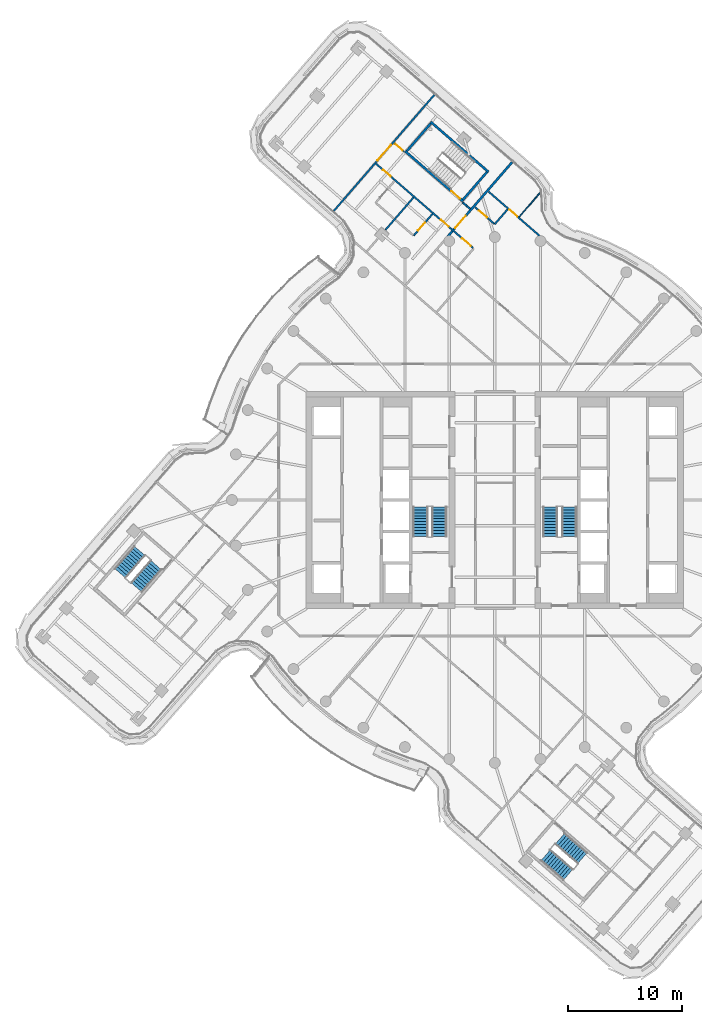
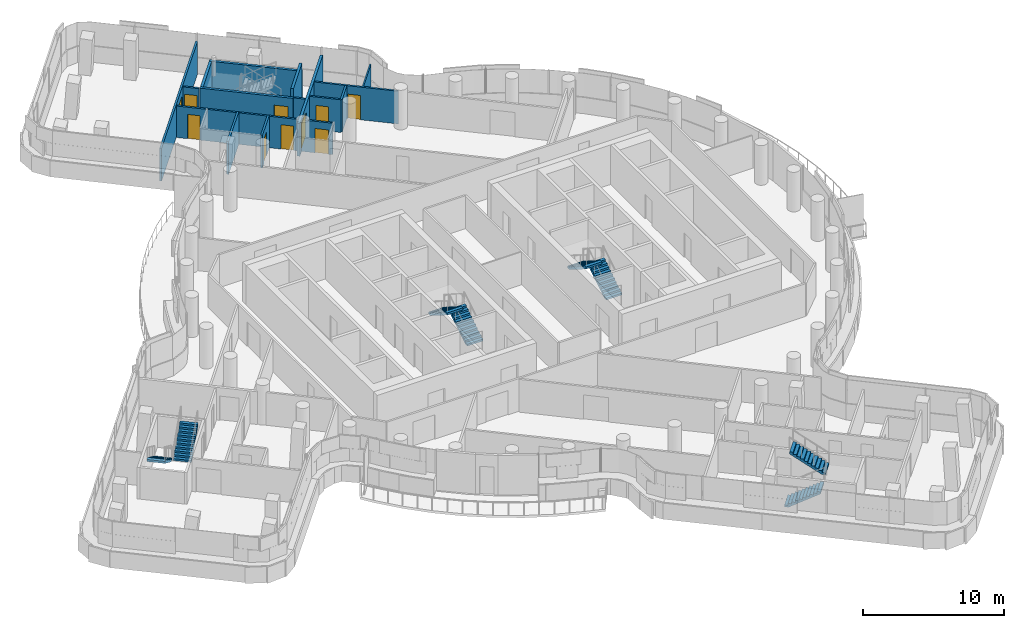
# One storey, part 23 of 32: 15 walls, 10 doors, 8 stair flights, 10 openings, 4 elements without a shape of their own.
"""IFC4 building model written with IfcOpenShell, lengths in metres."""

from ifc_helpers import new_model, si_unit, direction, frame, frame_2d, origin, place, context, subcontext, project, spatial, polyline, rectangle, outline, extrude, material, layer, layer_set, type_object, element, fill, aggregate, save


model = new_model("IFC4")

# Units and contexts
model_context = context("Model", 3, precision=1e-05, world=origin(), true_north=direction((0.0, 1.0)))
body_context = subcontext(model_context, "Body", "Model", "MODEL_VIEW")
ifc_project = project(units=[si_unit("LENGTHUNIT", "METRE"), si_unit("AREAUNIT", "SQUARE_METRE"), si_unit("VOLUMEUNIT", "CUBIC_METRE"), si_unit("PLANEANGLEUNIT", "RADIAN"), si_unit("MASSUNIT", "GRAM", prefix="KILO")], contexts=[model_context])

# Site, building, storey
site_placement = place(None, origin())
site = spatial("IfcSite", under=ifc_project, at=site_placement, CompositionType="ELEMENT")
building_placement = place(site_placement, origin())
building = spatial("IfcBuilding", under=site, at=building_placement, Name="Tamarind Cross Interchange Tower", CompositionType="ELEMENT")
storey_placement = place(building_placement, frame((0.0, 0.0, 211.300048828125)))
storey = spatial("IfcBuildingStorey", under=building, at=storey_placement, Name="L53", CompositionType="ELEMENT", Elevation=211.300048828125)

# Wall
ifc_material_1 = material(Name="Gypsum board partition on steel studs", Category="steel")
ifc_layer_1 = layer(ifc_material_1, 0.10009765625)
ifc_layer_set_1 = layer_set([ifc_layer_1], Name="Gypsum board partition on steel studs")
wall_type_1 = type_object("IfcWallType", Name="Partition 100 mm EI 90", PredefinedType="PARTITIONING", material=ifc_layer_set_1)
wall_1_placement = place(storey_placement, frame((2.12744140625, 24.761474609375, 0.0), z_axis=(0.0, 0.0, 1.0), x_axis=(0.6546704231, 0.755914437696, 0.0)))
element("IfcWall", 1, at=wall_1_placement, inside=storey, type_object=wall_type_1, Name="Partition L53-051", PredefinedType="PARTITIONING", context=body_context, shape_type="SweptSolid", body=[
    extrude(rectangle(XDim=2.78759765625, YDim=0.10009765625, at=frame_2d((1.393798828125, 0.0))), origin(), (0.0, 0.0, 1.0), 2.823974609375),
])

# Wall, openings, doors
ifc_layer_2 = layer(ifc_material_1, 0.14990234375)
ifc_layer_set_2 = layer_set([ifc_layer_2], Name="Gypsum board partition on steel studs")
wall_type_2 = type_object("IfcWallType", Name="Partition 150 mm EI 120", PredefinedType="PARTITIONING", material=ifc_layer_set_2)
wall_2_placement = place(storey_placement, frame((-10.400390625, 29.420654296875, 0.0), z_axis=(0.0, 0.0, 1.0), x_axis=(0.755729912983, -0.654883423689, 0.0)))
wall_2 = element("IfcWall", 2, at=wall_2_placement, inside=storey, type_object=wall_type_2, Name="Partition L53-013", PredefinedType="PARTITIONING", context=body_context, shape_type="SweptSolid", body=[
    extrude(rectangle(XDim=11.2451171875, YDim=0.14990234375, at=frame_2d((5.62255859375, 0.0))), origin(), (0.0, 0.0, 1.0), 2.719970703125),
])
opening_1_placement = place(wall_2_placement, frame((9.9697265625, 0.0, 0.0)))
opening_1 = element("IfcOpeningElement", 3, at=opening_1_placement, cuts=wall_2, Name="Opening D05", PredefinedType="OPENING", context=body_context, shape_type="SweptSolid", body=[
    extrude(rectangle(XDim=1.0, YDim=2.10009765625, at=frame_2d((0.5, 1.050048828125))), frame((0.0, 0.0849609375, 0.0), z_axis=(0.0, -1.0, 0.0), x_axis=(1.0, 0.0, 0.0)), (0.0, 0.0, 1.0), 0.169921875),
])
opening_2_placement = place(wall_2_placement, frame((7.52001953125, 0.0, 0.0)))
opening_2 = element("IfcOpeningElement", 4, at=opening_2_placement, cuts=wall_2, Name="Opening D06", PredefinedType="OPENING", context=body_context, shape_type="SweptSolid", body=[
    extrude(rectangle(XDim=0.89990234375, YDim=2.10009765625, at=frame_2d((0.449951171875, 1.050048828125))), frame((0.0, 0.0849609375, 0.0), z_axis=(0.0, -1.0, 0.0), x_axis=(1.0, 0.0, 0.0)), (0.0, 0.0, 1.0), 0.169921875),
])
opening_3_placement = place(wall_2_placement, frame((0.820068359375, 0.0, 0.0)))
opening_3 = element("IfcOpeningElement", 5, at=opening_3_placement, cuts=wall_2, Name="Opening D07", PredefinedType="OPENING", context=body_context, shape_type="SweptSolid", body=[
    extrude(rectangle(XDim=0.89990234375, YDim=2.10009765625, at=frame_2d((0.449951171875, 1.050048828125))), frame((0.0, 0.0849609375, 0.0), z_axis=(0.0, -1.0, 0.0), x_axis=(1.0, 0.0, 0.0)), (0.0, 0.0, 1.0), 0.169921875),
])
ifc_material_2 = material(Name="Fire-resisting door set")
door_type_1 = type_object("IfcDoorType", Name="Interior door 1000 x 2100 FD60S", OperationType="SINGLE_SWING_LEFT", PredefinedType="DOOR", material=ifc_material_2)
door_1_placement = place(opening_1_placement, frame((1.0, 0.0, 0.0), z_axis=(0.0, 0.0, 1.0), x_axis=(-1.0, 0.0, 0.0)))
door_1 = element("IfcDoor", 6, at=door_1_placement, inside=storey, type_object=door_type_1, Name="Door D05", OperationType="SINGLE_SWING_RIGHT", OverallHeight=2.10009765625, OverallWidth=1.0, PredefinedType="DOOR", context=body_context, shape_type="SweptSolid", body=[
    extrude(rectangle(XDim=1.0, YDim=2.10009765625, at=frame_2d((0.5, 1.050048828125))), frame((0.0, 0.02490234375, 0.0), z_axis=(0.0, -1.0, 0.0), x_axis=(1.0, 0.0, 0.0)), (0.0, 0.0, 1.0), 0.050048828125),
])
fill(opening_1, door_1)
door_type_2 = type_object("IfcDoorType", Name="Interior door 900 x 2100 FD60S", OperationType="SINGLE_SWING_LEFT", PredefinedType="DOOR", material=ifc_material_2)
door_2_placement = place(opening_2_placement, frame((0.89990234375, 0.0, 0.0), z_axis=(0.0, 0.0, 1.0), x_axis=(-1.0, 0.0, 0.0)))
door_2 = element("IfcDoor", 7, at=door_2_placement, inside=storey, type_object=door_type_2, Name="Door D06", OperationType="SINGLE_SWING_RIGHT", OverallHeight=2.10009765625, OverallWidth=0.89990234375, PredefinedType="DOOR", context=body_context, shape_type="SweptSolid", body=[
    extrude(rectangle(XDim=0.89990234375, YDim=2.10009765625, at=frame_2d((0.449951171875, 1.050048828125))), frame((0.0, 0.02490234375, 0.0), z_axis=(0.0, -1.0, 0.0), x_axis=(1.0, 0.0, 0.0)), (0.0, 0.0, 1.0), 0.050048828125),
])
fill(opening_2, door_2)
door_3_placement = place(opening_3_placement, frame((0.89990234375, 0.0, 0.0), z_axis=(0.0, 0.0, 1.0), x_axis=(-1.0, 0.0, 0.0)))
door_3 = element("IfcDoor", 8, at=door_3_placement, inside=storey, type_object=door_type_2, Name="Door D07", OperationType="SINGLE_SWING_LEFT", OverallHeight=2.10009765625, OverallWidth=0.89990234375, PredefinedType="DOOR", context=body_context, shape_type="SweptSolid", body=[
    extrude(rectangle(XDim=0.89990234375, YDim=2.10009765625, at=frame_2d((0.449951171875, 1.050048828125))), frame((0.0, 0.02490234375, 0.0), z_axis=(0.0, -1.0, 0.0), x_axis=(1.0, 0.0, 0.0)), (0.0, 0.0, 1.0), 0.050048828125),
])
fill(opening_3, door_3)

# Wall, opening, door
wall_3_placement = place(storey_placement, frame((-8.82958984375, 31.234619140625, 0.0), z_axis=(0.0, 0.0, 1.0), x_axis=(0.755873338464, -0.654717875271, 0.0)))
wall_3 = element("IfcWall", 9, at=wall_3_placement, inside=storey, type_object=wall_type_2, Name="Partition L53-015", PredefinedType="PARTITIONING", context=body_context, shape_type="SweptSolid", body=[
    extrude(rectangle(XDim=1.18017578125, YDim=0.14990234375, at=frame_2d((0.590087890625, 0.0))), origin(), (0.0, 0.0, 1.0), 2.719970703125),
])
opening_4_placement = place(wall_3_placement, frame((0.13037109375, 0.0, 0.0)))
opening_4 = element("IfcOpeningElement", 10, at=opening_4_placement, cuts=wall_3, Name="Opening D08", PredefinedType="OPENING", context=body_context, shape_type="SweptSolid", body=[
    extrude(rectangle(XDim=0.89990234375, YDim=2.10009765625, at=frame_2d((0.449951171875, 1.050048828125))), frame((0.0, 0.0849609375, 0.0), z_axis=(0.0, -1.0, 0.0), x_axis=(1.0, 0.0, 0.0)), (0.0, 0.0, 1.0), 0.169921875),
])
door_4_placement = place(opening_4_placement, origin())
door_4 = element("IfcDoor", 11, at=door_4_placement, inside=storey, type_object=door_type_2, Name="Door D08", OperationType="SINGLE_SWING_RIGHT", OverallHeight=2.10009765625, OverallWidth=0.89990234375, PredefinedType="DOOR", context=body_context, shape_type="SweptSolid", body=[
    extrude(rectangle(XDim=0.89990234375, YDim=2.10009765625, at=frame_2d((0.449951171875, 1.050048828125))), frame((0.0, 0.02490234375, 0.0), z_axis=(0.0, -1.0, 0.0), x_axis=(1.0, 0.0, 0.0)), (0.0, 0.0, 1.0), 0.050048828125),
])
fill(opening_4, door_4)

# Wall
wall_4_placement = place(storey_placement, frame((-2.81298828125, 26.023681640625, 0.0), z_axis=(0.0, 0.0, 1.0), x_axis=(0.755941819498, -0.654638805399, 0.0)))
element("IfcWall", 12, at=wall_4_placement, inside=storey, type_object=wall_type_2, Name="Partition L53-016", PredefinedType="PARTITIONING", context=body_context, shape_type="SweptSolid", body=[
    extrude(rectangle(XDim=0.8603515625, YDim=0.14990234375, at=frame_2d((0.43017578125, 0.0))), origin(), (0.0, 0.0, 1.0), 2.823974609375),
])

# Wall, opening, door
wall_5_placement = place(storey_placement, frame((-1.734375, 25.618408203125, 0.0), z_axis=(0.0, 0.0, 1.0), x_axis=(0.755959942228, -0.654617877656, 0.0)))
wall_5 = element("IfcWall", 13, at=wall_5_placement, inside=storey, type_object=wall_type_2, Name="Partition L53-019", PredefinedType="PARTITIONING", context=body_context, shape_type="SweptSolid", body=[
    extrude(rectangle(XDim=2.259765625, YDim=0.14990234375, at=frame_2d((1.1298828125, 0.0))), origin(), (0.0, 0.0, 1.0), 2.823974609375),
])
opening_5_placement = place(wall_5_placement, frame((0.47998046875, 0.0, 0.0)))
opening_5 = element("IfcOpeningElement", 14, at=opening_5_placement, cuts=wall_5, Name="Opening D12", PredefinedType="OPENING", context=body_context, shape_type="SweptSolid", body=[
    extrude(rectangle(XDim=0.89990234375, YDim=2.10009765625, at=frame_2d((0.449951171875, 1.050048828125))), frame((0.0, 0.0849609375, 0.0), z_axis=(0.0, -1.0, 0.0), x_axis=(1.0, 0.0, 0.0)), (0.0, 0.0, 1.0), 0.169921875),
])
door_5_placement = place(opening_5_placement, origin())
door_5 = element("IfcDoor", 15, at=door_5_placement, inside=storey, type_object=door_type_2, Name="Door D12", OperationType="SINGLE_SWING_RIGHT", OverallHeight=2.10009765625, OverallWidth=0.89990234375, PredefinedType="DOOR", context=body_context, shape_type="SweptSolid", body=[
    extrude(rectangle(XDim=0.89990234375, YDim=2.10009765625, at=frame_2d((0.449951171875, 1.050048828125))), frame((0.0, 0.02490234375, 0.0), z_axis=(0.0, -1.0, 0.0), x_axis=(1.0, 0.0, 0.0)), (0.0, 0.0, 1.0), 0.050048828125),
])
fill(opening_5, door_5)

wall_6_placement = place(storey_placement, frame((-0.556396484375, 26.9794921875, 0.0), z_axis=(0.0, 0.0, 1.0), x_axis=(0.75610536707, -0.654449901741, 0.0)))
wall_6 = element("IfcWall", 16, at=wall_6_placement, inside=storey, type_object=wall_type_2, Name="Partition L53-020", PredefinedType="PARTITIONING", context=body_context, shape_type="SweptSolid", body=[
    extrude(rectangle(XDim=6.054443359375, YDim=0.14990234375, at=frame_2d((3.02734375, 0.0))), origin(), (0.0, 0.0, 1.0), 2.823974609375),
])
opening_6_placement = place(wall_6_placement, frame((2.430419921875, 0.0, 0.0)))
opening_6 = element("IfcOpeningElement", 17, at=opening_6_placement, cuts=wall_6, Name="Opening D13", PredefinedType="OPENING", context=body_context, shape_type="SweptSolid", body=[
    extrude(rectangle(XDim=0.89990234375, YDim=2.10009765625, at=frame_2d((0.449951171875, 1.050048828125))), frame((0.0, 0.0849609375, 0.0), z_axis=(0.0, -1.0, 0.0), x_axis=(1.0, 0.0, 0.0)), (0.0, 0.0, 1.0), 0.169921875),
])
door_6_placement = place(opening_6_placement, origin())
door_6 = element("IfcDoor", 18, at=door_6_placement, inside=storey, type_object=door_type_2, Name="Door D13", OperationType="SINGLE_SWING_RIGHT", OverallHeight=2.10009765625, OverallWidth=0.89990234375, PredefinedType="DOOR", context=body_context, shape_type="SweptSolid", body=[
    extrude(rectangle(XDim=0.89990234375, YDim=2.10009765625, at=frame_2d((0.449951171875, 1.050048828125))), frame((0.0, 0.02490234375, 0.0), z_axis=(0.0, -1.0, 0.0), x_axis=(1.0, 0.0, 0.0)), (0.0, 0.0, 1.0), 0.050048828125),
])
fill(opening_6, door_6)

wall_7_placement = place(storey_placement, frame((-14.086669921875, 25.286376953125, 0.0), z_axis=(0.0, 0.0, 1.0), x_axis=(0.654652415454, 0.755930033099, 0.0)))
wall_7 = element("IfcWall", 19, at=wall_7_placement, inside=storey, type_object=wall_type_2, Name="Partition L53-043", PredefinedType="PARTITIONING", context=body_context, shape_type="SweptSolid", body=[
    extrude(rectangle(XDim=13.436767578125, YDim=0.14990234375, at=frame_2d((6.71826171875, 0.0))), origin(), (0.0, 0.0, 1.0), 2.820068359375),
])
opening_7_placement = place(wall_7_placement, frame((5.83837890625, 0.0, 0.0)))
opening_7 = element("IfcOpeningElement", 20, at=opening_7_placement, cuts=wall_7, Name="Opening D29", PredefinedType="OPENING", context=body_context, shape_type="SweptSolid", body=[
    extrude(rectangle(XDim=1.800048828125, YDim=2.10009765625, at=frame_2d((0.89990234375, 1.050048828125))), frame((0.0, 0.0849609375, 0.0), z_axis=(0.0, -1.0, 0.0), x_axis=(1.0, 0.0, 0.0)), (0.0, 0.0, 1.0), 0.169921875),
])
door_type_3 = type_object("IfcDoorType", Name="Interior door 1800 x 2100 FD60S", OperationType="DOUBLE_DOOR_SINGLE_SWING", PredefinedType="DOOR", material=ifc_material_2)
door_7_placement = place(opening_7_placement, origin())
door_7 = element("IfcDoor", 21, at=door_7_placement, inside=storey, type_object=door_type_3, Name="Door D29", OperationType="DOUBLE_DOOR_SINGLE_SWING", OverallHeight=2.10009765625, OverallWidth=1.800048828125, PredefinedType="DOOR", context=body_context, shape_type="SweptSolid", body=[
    extrude(rectangle(XDim=1.800048828125, YDim=2.10009765625, at=frame_2d((0.89990234375, 1.050048828125))), frame((0.0, 0.02490234375, 0.0), z_axis=(0.0, -1.0, 0.0), x_axis=(1.0, 0.0, 0.0)), (0.0, 0.0, 1.0), 0.050048828125),
])
fill(opening_7, door_7)

# Wall
wall_8_placement = place(storey_placement, frame((-9.572998046875, 23.624755859375, 0.0), z_axis=(0.0, 0.0, 1.0), x_axis=(0.654735179683, 0.755858349484, 0.0)))
element("IfcWall", 22, at=wall_8_placement, inside=storey, type_object=wall_type_2, Name="Partition L53-045", PredefinedType="PARTITIONING", context=body_context, shape_type="SweptSolid", body=[
    extrude(rectangle(XDim=3.759033203125, YDim=0.14990234375, at=frame_2d((1.87939453125, 0.0))), origin(), (0.0, 0.0, 1.0), 2.820068359375),
])

# Wall, opening, door
wall_9_placement = place(storey_placement, frame((-7.09912109375, 23.12109375, 0.0), z_axis=(0.0, 0.0, 1.0), x_axis=(0.654764510889, 0.755832941384, 0.0)))
wall_9 = element("IfcWall", 23, at=wall_9_placement, inside=storey, type_object=wall_type_2, Name="Partition L53-049", PredefinedType="PARTITIONING", context=body_context, shape_type="SweptSolid", body=[
    extrude(rectangle(XDim=2.51953125, YDim=0.14990234375, at=frame_2d((1.259765625, 0.0))), origin(), (0.0, 0.0, 1.0), 2.820068359375),
])
opening_8_placement = place(wall_9_placement, frame((0.60009765625, 0.0, 0.0)))
opening_8 = element("IfcOpeningElement", 24, at=opening_8_placement, cuts=wall_9, Name="Opening D32", PredefinedType="OPENING", context=body_context, shape_type="SweptSolid", body=[
    extrude(rectangle(XDim=0.89990234375, YDim=2.10009765625, at=frame_2d((0.449951171875, 1.050048828125))), frame((0.0, 0.0849609375, 0.0), z_axis=(0.0, -1.0, 0.0), x_axis=(1.0, 0.0, 0.0)), (0.0, 0.0, 1.0), 0.169921875),
])
door_8_placement = place(opening_8_placement, origin())
door_8 = element("IfcDoor", 25, at=door_8_placement, inside=storey, type_object=door_type_2, Name="Door D32", OperationType="SINGLE_SWING_RIGHT", OverallHeight=2.10009765625, OverallWidth=0.89990234375, PredefinedType="DOOR", context=body_context, shape_type="SweptSolid", body=[
    extrude(rectangle(XDim=0.89990234375, YDim=2.10009765625, at=frame_2d((0.449951171875, 1.050048828125))), frame((0.0, 0.02490234375, 0.0), z_axis=(0.0, -1.0, 0.0), x_axis=(1.0, 0.0, 0.0)), (0.0, 0.0, 1.0), 0.050048828125),
])
fill(opening_8, door_8)

# Wall
wall_10_placement = place(storey_placement, frame((-0.01025390625, 24.12548828125, 0.0), z_axis=(0.0, 0.0, 1.0), x_axis=(0.654860306773, 0.755749944501, 0.0)))
element("IfcWall", 26, at=wall_10_placement, inside=storey, type_object=wall_type_2, Name="Partition L53-053", PredefinedType="PARTITIONING", context=body_context, shape_type="SweptSolid", body=[
    extrude(rectangle(XDim=1.720458984375, YDim=0.14990234375, at=frame_2d((0.8603515625, 0.0))), origin(), (0.0, 0.0, 1.0), 2.823974609375),
])

# Wall, opening, door
ifc_layer_3 = layer(ifc_material_1, 0.199951171875)
ifc_layer_set_3 = layer_set([ifc_layer_3], Name="Gypsum board partition on steel studs")
wall_type_3 = type_object("IfcWallType", Name="Partition 200 mm EI 180", PredefinedType="PARTITIONING", material=ifc_layer_set_3)
wall_11_placement = place(storey_placement, frame((-4.119384765625, 23.047607421875, 0.0), z_axis=(0.0, 0.0, 1.0), x_axis=(0.654685276968, 0.755901573038, 0.0)))
wall_11 = element("IfcWall", 27, at=wall_11_placement, inside=storey, type_object=wall_type_3, Name="Partition L53-048", PredefinedType="PARTITIONING", context=body_context, shape_type="SweptSolid", body=[
    extrude(rectangle(XDim=8.603759765625, YDim=0.199951171875, at=frame_2d((4.3017578125, 0.0))), origin(), (0.0, 0.0, 1.0), 2.820068359375),
])
opening_9_placement = place(wall_11_placement, frame((1.00537109375, 0.0, 0.0)))
opening_9 = element("IfcOpeningElement", 28, at=opening_9_placement, cuts=wall_11, Name="Opening D31", PredefinedType="OPENING", context=body_context, shape_type="SweptSolid", body=[
    extrude(rectangle(XDim=1.39990234375, YDim=2.10009765625, at=frame_2d((0.699951171875, 1.050048828125))), frame((0.0, 0.10986328125, 0.0), z_axis=(0.0, -1.0, 0.0), x_axis=(1.0, 0.0, 0.0)), (0.0, 0.0, 1.0), 0.219970703125),
])
door_type_4 = type_object("IfcDoorType", Name="Interior door 1400 x 2100 FD120S", OperationType="DOUBLE_DOOR_SINGLE_SWING", PredefinedType="DOOR", material=ifc_material_2)
door_9_placement = place(opening_9_placement, frame((1.39990234375, 0.0, 0.0), z_axis=(0.0, 0.0, 1.0), x_axis=(-1.0, 0.0, 0.0)))
door_9 = element("IfcDoor", 29, at=door_9_placement, inside=storey, type_object=door_type_4, Name="Door D31", OperationType="DOUBLE_DOOR_SINGLE_SWING", OverallHeight=2.10009765625, OverallWidth=1.39990234375, PredefinedType="DOOR", context=body_context, shape_type="SweptSolid", body=[
    extrude(rectangle(XDim=1.39990234375, YDim=2.10009765625, at=frame_2d((0.699951171875, 1.050048828125))), frame((0.0, 0.02490234375, 0.0), z_axis=(0.0, -1.0, 0.0), x_axis=(1.0, 0.0, 0.0)), (0.0, 0.0, 1.0), 0.050048828125),
])
fill(opening_9, door_9)

ifc_material_3 = material(Name="Concrete C40", Category="concrete")
ifc_layer_4 = layer(ifc_material_3, 0.199951171875)
ifc_layer_set_4 = layer_set([ifc_layer_4], Name="Concrete C40")
wall_type_4 = type_object("IfcWallType", Name="Stair shaft wall 200 mm Concrete C40", PredefinedType="SHEAR", material=ifc_layer_set_4)
wall_12_placement = place(storey_placement, frame((-2.77734375, 26.125, -0.14013671875), z_axis=(0.0, 0.0, 1.0), x_axis=(-0.755905449716, 0.654680800918, 0.0)))
wall_12 = element("IfcWall", 30, at=wall_12_placement, inside=storey, type_object=wall_type_4, Name="Core wall CWL-L53-ST4-H", PredefinedType="SHEAR", context=body_context, shape_type="SweptSolid", body=[
    extrude(rectangle(XDim=6.7001953125, YDim=0.199951171875, at=frame_2d((3.35009765625, 0.0))), origin(), (0.0, 0.0, 1.0), 2.860107421875),
])
opening_10_placement = place(wall_12_placement, frame((0.35009765625, 0.0, 0.0)))
opening_10 = element("IfcOpeningElement", 31, at=opening_10_placement, cuts=wall_12, Name="Opening ST4L53", PredefinedType="OPENING", context=body_context, shape_type="SweptSolid", body=[
    extrude(rectangle(XDim=1.0, YDim=2.10009765625, at=frame_2d((0.5, 1.050048828125))), frame((0.0, 0.10986328125, 0.0), z_axis=(0.0, -1.0, 0.0), x_axis=(1.0, 0.0, 0.0)), (0.0, 0.0, 1.0), 0.219970703125),
])
ifc_material_4 = material(Name="Steel, fire-resisting", Category="steel")
door_type_5 = type_object("IfcDoorType", Name="Core fire door 1000 x 2100 FD90", OperationType="SINGLE_SWING_LEFT", PredefinedType="DOOR", material=ifc_material_4)
door_10_placement = place(opening_10_placement, origin())
door_10 = element("IfcDoor", 32, at=door_10_placement, inside=storey, type_object=door_type_5, Name="L53 stair door ST4", OperationType="SINGLE_SWING_LEFT", OverallHeight=2.10009765625, OverallWidth=1.0, PredefinedType="DOOR", context=body_context, shape_type="SweptSolid", body=[
    extrude(rectangle(XDim=1.0, YDim=2.10009765625, at=frame_2d((0.5, 1.050048828125))), frame((0.0, 0.02490234375, 0.0), z_axis=(0.0, -1.0, 0.0), x_axis=(1.0, 0.0, 0.0)), (0.0, 0.0, 1.0), 0.050048828125),
])
fill(opening_10, door_10)

# Walls
wall_13_placement = place(storey_placement, frame((-0.551513671875, 28.6953125, -0.14013671875), z_axis=(0.0, 0.0, 1.0), x_axis=(-0.755923482159, 0.654659979777, 0.0)))
element("IfcWall", 33, at=wall_13_placement, inside=storey, type_object=wall_type_4, Name="Core wall CWL-L53-ST4-C", PredefinedType="SHEAR", context=body_context, shape_type="SweptSolid", body=[
    extrude(rectangle(XDim=6.699951171875, YDim=0.199951171875, at=frame_2d((3.35009765625, 0.0))), origin(), (0.0, 0.0, 1.0), 2.860107421875),
])
wall_14_placement = place(storey_placement, frame((-0.6923828125, 28.68505859375, -0.14013671875), z_axis=(0.0, 0.0, 1.0), x_axis=(-0.654715584954, -0.755875322271, 0.0)))
element("IfcWall", 34, at=wall_14_placement, inside=storey, type_object=wall_type_4, Name="Core wall CWL-L53-ST4-CE", PredefinedType="SHEAR", context=body_context, shape_type="SweptSolid", body=[
    extrude(rectangle(XDim=3.2001953125, YDim=0.199951171875, at=frame_2d((1.60009765625, 0.0))), origin(), (0.0, 0.0, 1.0), 3.56005859375),
])
wall_15_placement = place(storey_placement, frame((0.0, 0.0, -0.14013671875)))
element("IfcWall", 35, at=wall_15_placement, inside=storey, type_object=wall_type_4, Name="Core wall CWL-L53-ST4-CF", PredefinedType="SHEAR", context=body_context, shape_type="SweptSolid", body=[
    extrude(outline(polyline([(-5.530517578125, 32.875), (-5.681640625, 33.005859375), (-7.776611328125, 30.5869140625), (-7.625244140625, 30.4560546875), (-5.530517578125, 32.875)])), origin(), (0.0, 0.0, 1.0), 2.860107421875),
])

# Stair, stair flights
ifc_material_5 = material(Name="Exit stair")
stair_type = type_object("IfcStairType", Name="Exit stair", PredefinedType="HALF_TURN_STAIR", material=ifc_material_5)
stair_1_placement = place(storey_placement, origin())
stair_1 = element("IfcStair", 36, at=stair_1_placement, inside=storey, type_object=stair_type, Name="L53 exit stair ST1", PredefinedType="HALF_TURN_STAIR")
ifc_material_6 = material(Name="Exit stair flight")
stair_flight_type = type_object("IfcStairFlightType", Name="Exit stair flight", PredefinedType="STRAIGHT", material=ifc_material_6)
stair_flight_1_placement = place(storey_placement, frame((-4.85009765625, -3.199951171875, 0.0), z_axis=(0.0, 0.0, 1.0), x_axis=(0.0, 1.0, 0.0)))
stair_flight_1 = element("IfcStairFlight", 37, at=stair_flight_1_placement, type_object=stair_flight_type, Name="ST1 flight 1", NumberOfRisers=11, NumberOfTreads=10, PredefinedType="STRAIGHT", RiserHeight=0.163636364, TreadLength=0.26, context=body_context, shape_type="SweptSolid", body=[
    extrude(outline(polyline([(0.0, 0.0), (0.0, 0.16357421875), (0.260009765625, 0.16357421875), (0.260009765625, 0.327392578125), (0.52001953125, 0.327392578125), (0.52001953125, 0.490966796875), (0.780029296875, 0.490966796875), (0.780029296875, 0.654541015625), (1.0400390625, 0.654541015625), (1.0400390625, 0.818115234375), (1.300048828125, 0.818115234375), (1.300048828125, 0.98193359375), (1.56005859375, 0.98193359375), (1.56005859375, 1.1455078125), (1.820068359375, 1.1455078125), (1.820068359375, 1.30908203125), (2.080078125, 1.30908203125), (2.080078125, 1.47265625), (2.340087890625, 1.47265625), (2.340087890625, 1.636474609375), (2.60009765625, 1.636474609375), (2.60009765625, 1.800048828125), (2.60009765625, 1.459228515625), (0.281494140625, 0.0), (0.0, 0.0)])), frame((0.0, 0.64990234375, 0.0), z_axis=(0.0, -1.0, 0.0), x_axis=(1.0, 0.0, 0.0)), (0.0, 0.0, 1.0), 1.300048828125),
])
stair_flight_2_placement = place(storey_placement, frame((-6.5, -0.60009765625, 1.800048828125), z_axis=(0.0, 0.0, 1.0), x_axis=(0.0, -1.0, 0.0)))
stair_flight_2 = element("IfcStairFlight", 38, at=stair_flight_2_placement, type_object=stair_flight_type, Name="ST1 flight 2", NumberOfRisers=11, NumberOfTreads=10, PredefinedType="STRAIGHT", RiserHeight=0.163636364, TreadLength=0.26, context=body_context, shape_type="SweptSolid", body=[
    extrude(outline(polyline([(0.0, 0.0), (0.0, 0.16357421875), (0.260009765625, 0.16357421875), (0.260009765625, 0.327392578125), (0.52001953125, 0.327392578125), (0.52001953125, 0.490966796875), (0.780029296875, 0.490966796875), (0.780029296875, 0.654541015625), (1.0400390625, 0.654541015625), (1.0400390625, 0.818115234375), (1.300048828125, 0.818115234375), (1.300048828125, 0.98193359375), (1.56005859375, 0.98193359375), (1.56005859375, 1.1455078125), (1.820068359375, 1.1455078125), (1.820068359375, 1.30908203125), (2.080078125, 1.30908203125), (2.080078125, 1.47265625), (2.340087890625, 1.47265625), (2.340087890625, 1.636474609375), (2.60009765625, 1.636474609375), (2.60009765625, 1.800048828125), (2.60009765625, 1.459228515625), (0.281494140625, 0.0), (0.0, 0.0)])), frame((0.0, 0.64990234375, 0.0), z_axis=(0.0, -1.0, 0.0), x_axis=(1.0, 0.0, 0.0)), (0.0, 0.0, 1.0), 1.300048828125),
])
aggregate(stair_1, [stair_flight_1, stair_flight_2])

stair_2_placement = place(storey_placement, origin())
stair_2 = element("IfcStair", 39, at=stair_2_placement, inside=storey, type_object=stair_type, Name="L53 exit stair ST2", PredefinedType="HALF_TURN_STAIR")
stair_flight_3_placement = place(storey_placement, frame((6.5, -3.199951171875, 0.0), z_axis=(0.0, 0.0, 1.0), x_axis=(0.0, 1.0, 0.0)))
stair_flight_3 = element("IfcStairFlight", 40, at=stair_flight_3_placement, type_object=stair_flight_type, Name="ST2 flight 1", NumberOfRisers=11, NumberOfTreads=10, PredefinedType="STRAIGHT", RiserHeight=0.163636364, TreadLength=0.26, context=body_context, shape_type="SweptSolid", body=[
    extrude(outline(polyline([(0.0, 0.0), (0.0, 0.16357421875), (0.260009765625, 0.16357421875), (0.260009765625, 0.327392578125), (0.52001953125, 0.327392578125), (0.52001953125, 0.490966796875), (0.780029296875, 0.490966796875), (0.780029296875, 0.654541015625), (1.0400390625, 0.654541015625), (1.0400390625, 0.818115234375), (1.300048828125, 0.818115234375), (1.300048828125, 0.98193359375), (1.56005859375, 0.98193359375), (1.56005859375, 1.1455078125), (1.820068359375, 1.1455078125), (1.820068359375, 1.30908203125), (2.080078125, 1.30908203125), (2.080078125, 1.47265625), (2.340087890625, 1.47265625), (2.340087890625, 1.636474609375), (2.60009765625, 1.636474609375), (2.60009765625, 1.800048828125), (2.60009765625, 1.459228515625), (0.281494140625, 0.0), (0.0, 0.0)])), frame((0.0, 0.64990234375, 0.0), z_axis=(0.0, -1.0, 0.0), x_axis=(1.0, 0.0, 0.0)), (0.0, 0.0, 1.0), 1.300048828125),
])
stair_flight_4_placement = place(storey_placement, frame((4.85009765625, -0.60009765625, 1.800048828125), z_axis=(0.0, 0.0, 1.0), x_axis=(0.0, -1.0, 0.0)))
stair_flight_4 = element("IfcStairFlight", 41, at=stair_flight_4_placement, type_object=stair_flight_type, Name="ST2 flight 2", NumberOfRisers=11, NumberOfTreads=10, PredefinedType="STRAIGHT", RiserHeight=0.163636364, TreadLength=0.26, context=body_context, shape_type="SweptSolid", body=[
    extrude(outline(polyline([(0.0, 0.0), (0.0, 0.16357421875), (0.260009765625, 0.16357421875), (0.260009765625, 0.327392578125), (0.52001953125, 0.327392578125), (0.52001953125, 0.490966796875), (0.780029296875, 0.490966796875), (0.780029296875, 0.654541015625), (1.0400390625, 0.654541015625), (1.0400390625, 0.818115234375), (1.300048828125, 0.818115234375), (1.300048828125, 0.98193359375), (1.56005859375, 0.98193359375), (1.56005859375, 1.1455078125), (1.820068359375, 1.1455078125), (1.820068359375, 1.30908203125), (2.080078125, 1.30908203125), (2.080078125, 1.47265625), (2.340087890625, 1.47265625), (2.340087890625, 1.636474609375), (2.60009765625, 1.636474609375), (2.60009765625, 1.800048828125), (2.60009765625, 1.459228515625), (0.281494140625, 0.0), (0.0, 0.0)])), frame((0.0, 0.64990234375, 0.0), z_axis=(0.0, -1.0, 0.0), x_axis=(1.0, 0.0, 0.0)), (0.0, 0.0, 1.0), 1.300048828125),
])
aggregate(stair_2, [stair_flight_3, stair_flight_4])

stair_3_placement = place(storey_placement, origin())
stair_3 = element("IfcStair", 42, at=stair_3_placement, inside=storey, type_object=stair_type, Name="L53 exit stair ST5", PredefinedType="HALF_TURN_STAIR")
stair_flight_5_placement = place(storey_placement, frame((-31.07421875, -4.444091796875, 0.0), z_axis=(0.0, 0.0, 1.0), x_axis=(-0.654666934653, -0.755917458902, 0.0)))
stair_flight_5 = element("IfcStairFlight", 43, at=stair_flight_5_placement, type_object=stair_flight_type, Name="ST5 flight 1", NumberOfRisers=11, NumberOfTreads=10, PredefinedType="STRAIGHT", RiserHeight=0.163636364, TreadLength=0.26, context=body_context, shape_type="SweptSolid", body=[
    extrude(outline(polyline([(0.0, 0.0), (0.0, 0.16357421875), (0.260009765625, 0.16357421875), (0.260009765625, 0.327392578125), (0.52001953125, 0.327392578125), (0.52001953125, 0.490966796875), (0.780029296875, 0.490966796875), (0.780029296875, 0.654541015625), (1.0400390625, 0.654541015625), (1.0400390625, 0.818115234375), (1.300048828125, 0.818115234375), (1.300048828125, 0.98193359375), (1.56005859375, 0.98193359375), (1.56005859375, 1.1455078125), (1.820068359375, 1.1455078125), (1.820068359375, 1.30908203125), (2.080078125, 1.30908203125), (2.080078125, 1.47265625), (2.340087890625, 1.47265625), (2.340087890625, 1.636474609375), (2.60009765625, 1.636474609375), (2.60009765625, 1.800048828125), (2.60009765625, 1.459228515625), (0.281494140625, 0.0), (0.0, 0.0)])), frame((0.0, 0.64990234375, 0.0), z_axis=(0.0, -1.0, 0.0), x_axis=(1.0, 0.0, 0.0)), (0.0, 0.0, 1.0), 1.300048828125),
])
stair_flight_6_placement = place(storey_placement, frame((-31.340087890625, -7.6533203125, 1.800048828125), z_axis=(0.0, 0.0, 1.0), x_axis=(0.654666934653, 0.755917458902, 0.0)))
stair_flight_6 = element("IfcStairFlight", 44, at=stair_flight_6_placement, type_object=stair_flight_type, Name="ST5 flight 2", NumberOfRisers=11, NumberOfTreads=10, PredefinedType="STRAIGHT", RiserHeight=0.163636364, TreadLength=0.26, context=body_context, shape_type="SweptSolid", body=[
    extrude(outline(polyline([(0.0, 0.0), (0.0, 0.16357421875), (0.260009765625, 0.16357421875), (0.260009765625, 0.327392578125), (0.52001953125, 0.327392578125), (0.52001953125, 0.490966796875), (0.780029296875, 0.490966796875), (0.780029296875, 0.654541015625), (1.0400390625, 0.654541015625), (1.0400390625, 0.818115234375), (1.300048828125, 0.818115234375), (1.300048828125, 0.98193359375), (1.56005859375, 0.98193359375), (1.56005859375, 1.1455078125), (1.820068359375, 1.1455078125), (1.820068359375, 1.30908203125), (2.080078125, 1.30908203125), (2.080078125, 1.47265625), (2.340087890625, 1.47265625), (2.340087890625, 1.636474609375), (2.60009765625, 1.636474609375), (2.60009765625, 1.800048828125), (2.60009765625, 1.459228515625), (0.281494140625, 0.0), (0.0, 0.0)])), frame((0.0, 0.64990234375, 0.0), z_axis=(0.0, -1.0, 0.0), x_axis=(1.0, 0.0, 0.0)), (0.0, 0.0, 1.0), 1.300048828125),
])
aggregate(stair_3, [stair_flight_5, stair_flight_6])

stair_4_placement = place(storey_placement, origin())
stair_4 = element("IfcStair", 45, at=stair_4_placement, inside=storey, type_object=stair_type, Name="L53 exit stair ST6", PredefinedType="HALF_TURN_STAIR")
stair_flight_7_placement = place(storey_placement, frame((4.444091796875, -31.07421875, 0.0), z_axis=(0.0, 0.0, 1.0), x_axis=(0.755917458902, -0.654666934653, 0.0)))
stair_flight_7 = element("IfcStairFlight", 46, at=stair_flight_7_placement, type_object=stair_flight_type, Name="ST6 flight 1", NumberOfRisers=11, NumberOfTreads=10, PredefinedType="STRAIGHT", RiserHeight=0.163636364, TreadLength=0.26, context=body_context, shape_type="SweptSolid", body=[
    extrude(outline(polyline([(0.0, 0.0), (0.0, 0.16357421875), (0.260009765625, 0.16357421875), (0.260009765625, 0.327392578125), (0.52001953125, 0.327392578125), (0.52001953125, 0.490966796875), (0.780029296875, 0.490966796875), (0.780029296875, 0.654541015625), (1.0400390625, 0.654541015625), (1.0400390625, 0.818115234375), (1.300048828125, 0.818115234375), (1.300048828125, 0.98193359375), (1.56005859375, 0.98193359375), (1.56005859375, 1.1455078125), (1.820068359375, 1.1455078125), (1.820068359375, 1.30908203125), (2.080078125, 1.30908203125), (2.080078125, 1.47265625), (2.340087890625, 1.47265625), (2.340087890625, 1.636474609375), (2.60009765625, 1.636474609375), (2.60009765625, 1.800048828125), (2.60009765625, 1.459228515625), (0.281494140625, 0.0), (0.0, 0.0)])), frame((0.0, 0.64990234375, 0.0), z_axis=(0.0, -1.0, 0.0), x_axis=(1.0, 0.0, 0.0)), (0.0, 0.0, 1.0), 1.300048828125),
])
stair_flight_8_placement = place(storey_placement, frame((7.6533203125, -31.340087890625, 1.800048828125), z_axis=(0.0, 0.0, 1.0), x_axis=(-0.755917458902, 0.654666934653, 0.0)))
stair_flight_8 = element("IfcStairFlight", 47, at=stair_flight_8_placement, type_object=stair_flight_type, Name="ST6 flight 2", NumberOfRisers=11, NumberOfTreads=10, PredefinedType="STRAIGHT", RiserHeight=0.163636364, TreadLength=0.26, context=body_context, shape_type="SweptSolid", body=[
    extrude(outline(polyline([(0.0, 0.0), (0.0, 0.16357421875), (0.260009765625, 0.16357421875), (0.260009765625, 0.327392578125), (0.52001953125, 0.327392578125), (0.52001953125, 0.490966796875), (0.780029296875, 0.490966796875), (0.780029296875, 0.654541015625), (1.0400390625, 0.654541015625), (1.0400390625, 0.818115234375), (1.300048828125, 0.818115234375), (1.300048828125, 0.98193359375), (1.56005859375, 0.98193359375), (1.56005859375, 1.1455078125), (1.820068359375, 1.1455078125), (1.820068359375, 1.30908203125), (2.080078125, 1.30908203125), (2.080078125, 1.47265625), (2.340087890625, 1.47265625), (2.340087890625, 1.636474609375), (2.60009765625, 1.636474609375), (2.60009765625, 1.800048828125), (2.60009765625, 1.459228515625), (0.281494140625, 0.0), (0.0, 0.0)])), frame((0.0, 0.64990234375, 0.0), z_axis=(0.0, -1.0, 0.0), x_axis=(1.0, 0.0, 0.0)), (0.0, 0.0, 1.0), 1.300048828125),
])
aggregate(stair_4, [stair_flight_7, stair_flight_8])

save(model, "model.ifc")
